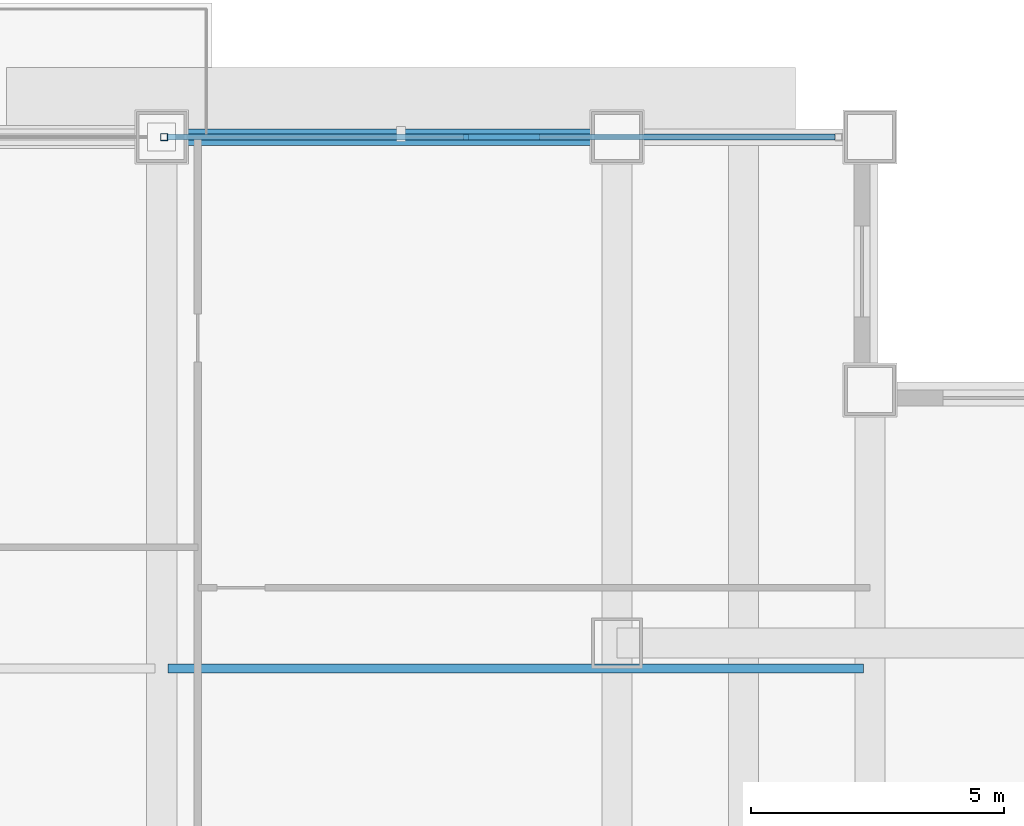
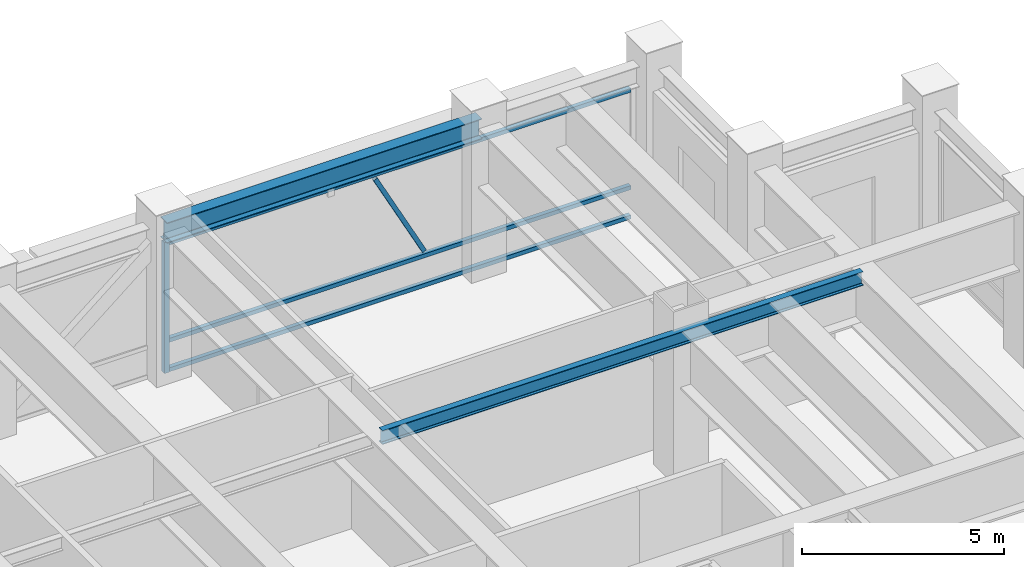
# One storey, part 20 of 33: 5 members, 2 beams, 1 element without a shape of its own.
"""IFC4 building model written with IfcOpenShell, lengths in metres."""

from ifc_helpers import new_model, si_unit, direction, frame, origin, origin_2d, place, context, subcontext, project, spatial, hollow_rectangle, i_section, extrude, source, transform, mapped, material, material_profile, profile_set, type_object, element, aggregate, save


model = new_model("IFC4")

# Units and contexts
model_context = context("Model", 3, precision=1e-05, world=origin(), true_north=direction((0.0, 1.0)))
body_context = subcontext(model_context, "Body", "Model", "MODEL_VIEW")
ifc_project = project(units=[si_unit("LENGTHUNIT", "METRE"), si_unit("AREAUNIT", "SQUARE_METRE"), si_unit("VOLUMEUNIT", "CUBIC_METRE"), si_unit("PLANEANGLEUNIT", "RADIAN"), si_unit("MASSUNIT", "GRAM", prefix="KILO")], contexts=[model_context])

# Site, building, storey
site_placement = place(None, origin())
site = spatial("IfcSite", under=ifc_project, at=site_placement, CompositionType="ELEMENT")
building_placement = place(site_placement, origin())
building = spatial("IfcBuilding", under=site, at=building_placement, Name="Khorayat Bourse Tower", CompositionType="ELEMENT")
storey_placement = place(building_placement, frame((0.0, 0.0, 263.10009765625)))
storey = spatial("IfcBuildingStorey", under=building, at=storey_placement, Name="L62", CompositionType="ELEMENT", Elevation=263.10009765625)

# Beams
ifc_material_1 = material(Name="Steel ASTM A992 Grade 50", Category="steel")
ifc_material_profile_1 = material_profile(ifc_material_1, i_section(OverallWidth=0.324951171875, OverallDepth=0.615966796875, WebThickness=0.013916015625, FlangeThickness=0.021484375, FilletRadius=0.01611328125, at=origin_2d()), Name="W610X174")
ifc_profile_set_1 = profile_set([ifc_material_profile_1], Name="Steel ASTM A992 Grade 50")
beam_type_1 = type_object("IfcBeamType", Name="BM-SPAN-610", PredefinedType="SPANDREL", material=ifc_profile_set_1)
shared_shape_1 = source(origin(), body_context, "Body", "SweptSolid", [
    extrude(i_section(OverallWidth=0.324951171875, OverallDepth=0.615966796875, WebThickness=0.013916015625, FlangeThickness=0.021484375, FilletRadius=0.01611328125, at=origin_2d()), origin(), (0.0, 0.0, 1.0), 9.0),
])
beam_1_placement = place(storey_placement, frame((11.0, 30.0, 4.2919921875), z_axis=(1.0, 0.0, 0.0), x_axis=(0.0, 1.0, 0.0)))
element("IfcBeam", 1, at=beam_1_placement, inside=storey, type_object=beam_type_1, Name="L62 BM-SPAN-610 BM-L62-SPN-045", PredefinedType="SPANDREL", context=body_context, shape_type="MappedRepresentation", body=[
    mapped(shared_shape_1, transform((0.0, 0.0, 0.0), scale=1.0)),
])
ifc_material_profile_2 = material_profile(ifc_material_1, i_section(OverallWidth=0.180908203125, OverallDepth=0.4169921875, WebThickness=0.010986328125, FlangeThickness=0.018310546875, FilletRadius=0.011962890625, at=origin_2d()), Name="W410X85")
ifc_profile_set_2 = profile_set([ifc_material_profile_2], Name="Steel ASTM A992 Grade 50")
beam_type_2 = type_object("IfcBeamType", Name="BM-JOIST-410", PredefinedType="JOIST", material=ifc_profile_set_2)
shared_shape_2 = source(origin(), body_context, "Body", "SweptSolid", [
    extrude(i_section(OverallWidth=0.180908203125, OverallDepth=0.4169921875, WebThickness=0.010986328125, FlangeThickness=0.018310546875, FilletRadius=0.011962890625, at=origin_2d()), origin(), (0.0, 0.0, 1.0), 13.740234375),
])
beam_2_placement = place(storey_placement, frame((11.1298828125, 19.5, 4.391357421875), z_axis=(1.0, 0.0, 0.0), x_axis=(0.0, 1.0, 0.0)))
element("IfcBeam", 2, at=beam_2_placement, inside=storey, type_object=beam_type_2, Name="L62 BM-JOIST-410 BM-L62-JSTX-109", PredefinedType="JOIST", context=body_context, shape_type="MappedRepresentation", body=[
    mapped(shared_shape_2, transform((0.0, 0.0, 0.0), scale=1.0)),
])

# Curtain wall, members
ifc_material_2 = material(Name="Aluminium EN AW-6063 T6", Category="aluminium")
curtain_wall_type = type_object("IfcCurtainWallType", Name="CW-SYS-05", PredefinedType="NOTDEFINED", material=ifc_material_2)
curtain_wall_placement = place(storey_placement, origin())
curtain_wall = element("IfcCurtainWall", 3, at=curtain_wall_placement, inside=storey, type_object=curtain_wall_type, Name="L62 Curtain Wall CW-L62-N2", PredefinedType="NOTDEFINED")
ifc_material_profile_3 = material_profile(ifc_material_2, hollow_rectangle(XDim=0.139892578125, YDim=0.139892578125, WallThickness=0.006103515625, at=origin_2d()), Name="ALU 140x140x6")
ifc_profile_set_3 = profile_set([ifc_material_profile_3], Name="Aluminium EN AW-6063 T6")
member_type_1 = type_object("IfcMemberType", Name="CWM-VERT-140", PredefinedType="MULLION", material=ifc_profile_set_3)
shared_shape_3 = source(origin(), body_context, "Body", "SweptSolid", [
    extrude(hollow_rectangle(XDim=0.139892578125, YDim=0.139892578125, WallThickness=0.006103515625, at=origin_2d()), origin(), (0.0, 0.0, 1.0), 3.949951171875),
])
member_1_placement = place(storey_placement, frame((11.050048828125, 30.0, 0.0), z_axis=(0.0, 0.0, 1.0), x_axis=(0.0, 1.0, 0.0)))
member_1 = element("IfcMember", 4, at=member_1_placement, type_object=member_type_1, Name="CW-L62-N2 Vertical Mullion 2", PredefinedType="MULLION", context=body_context, shape_type="MappedRepresentation", body=[
    mapped(shared_shape_3, transform((0.0, 0.0, 0.0), scale=1.0)),
])
ifc_material_profile_4 = material_profile(ifc_material_2, hollow_rectangle(XDim=0.1201171875, YDim=0.1201171875, WallThickness=0.0048828125, at=origin_2d()), Name="ALU 120x120x5")
ifc_profile_set_4 = profile_set([ifc_material_profile_4], Name="Aluminium EN AW-6063 T6")
member_type_2 = type_object("IfcMemberType", Name="CWM-DIAG-120", PredefinedType="MULLION", material=ifc_profile_set_4)
shared_shape_4 = source(origin(), body_context, "Body", "SweptSolid", [
    extrude(hollow_rectangle(XDim=0.1201171875, YDim=0.1201171875, WallThickness=0.0048828125, at=origin_2d()), origin(), (0.0, 0.0, 1.0), 3.006103515625),
])
member_2_placement = place(storey_placement, frame((18.4150390625, 30.0, 1.08984375), z_axis=(-0.465763168855, 0.0, 0.884909413747), x_axis=(0.0, -1.0, 0.0)))
member_2 = element("IfcMember", 5, at=member_2_placement, type_object=member_type_2, Name="CW-L62-N2 Faceted Diagonal Mullion 2", PredefinedType="MULLION", context=body_context, shape_type="MappedRepresentation", body=[
    mapped(shared_shape_4, transform((0.0, 0.0, 0.0), scale=1.0)),
])
ifc_material_profile_5 = material_profile(ifc_material_2, hollow_rectangle(XDim=0.1201171875, YDim=0.1201171875, WallThickness=0.0048828125, at=origin_2d()), Name="ALU 120x120x5")
ifc_profile_set_5 = profile_set([ifc_material_profile_5], Name="Aluminium EN AW-6063 T6")
member_type_3 = type_object("IfcMemberType", Name="CWT-HORZ-120", PredefinedType="USERDEFINED", material=ifc_profile_set_5)
shared_shape_5 = source(origin(), body_context, "Body", "SweptSolid", [
    extrude(hollow_rectangle(XDim=0.1201171875, YDim=0.1201171875, WallThickness=0.0048828125, at=origin_2d()), origin(), (0.0, 0.0, 1.0), 13.18994140625),
])
member_3_placement = place(storey_placement, frame((11.1201171875, 30.0, 0.059814453125), z_axis=(1.0, 0.0, 0.0), x_axis=(0.0, 1.0, 0.0)))
member_3 = element("IfcMember", 6, at=member_3_placement, type_object=member_type_3, Name="CW-L62-N2 Horizontal Transom 2-1", ObjectType="TRANSOM", PredefinedType="USERDEFINED", context=body_context, shape_type="MappedRepresentation", body=[
    mapped(shared_shape_5, transform((0.0, 0.0, 0.0), scale=1.0)),
])
member_4_placement = place(storey_placement, frame((11.1201171875, 30.0, 0.949951171875), z_axis=(1.0, 0.0, 0.0), x_axis=(0.0, 1.0, 0.0)))
member_4 = element("IfcMember", 7, at=member_4_placement, type_object=member_type_3, Name="CW-L62-N2 Horizontal Transom 2-2", ObjectType="TRANSOM", PredefinedType="USERDEFINED", context=body_context, shape_type="MappedRepresentation", body=[
    mapped(shared_shape_5, transform((0.0, 0.0, 0.0), scale=1.0)),
])
member_5_placement = place(storey_placement, frame((11.1201171875, 30.0, 3.889892578125), z_axis=(1.0, 0.0, 0.0), x_axis=(0.0, 1.0, 0.0)))
member_5 = element("IfcMember", 8, at=member_5_placement, type_object=member_type_3, Name="CW-L62-N2 Horizontal Transom 2-3", ObjectType="TRANSOM", PredefinedType="USERDEFINED", context=body_context, shape_type="MappedRepresentation", body=[
    mapped(shared_shape_5, transform((0.0, 0.0, 0.0), scale=1.0)),
])
aggregate(curtain_wall, [member_1, member_3, member_4, member_5, member_2])

save(model, "model.ifc")
